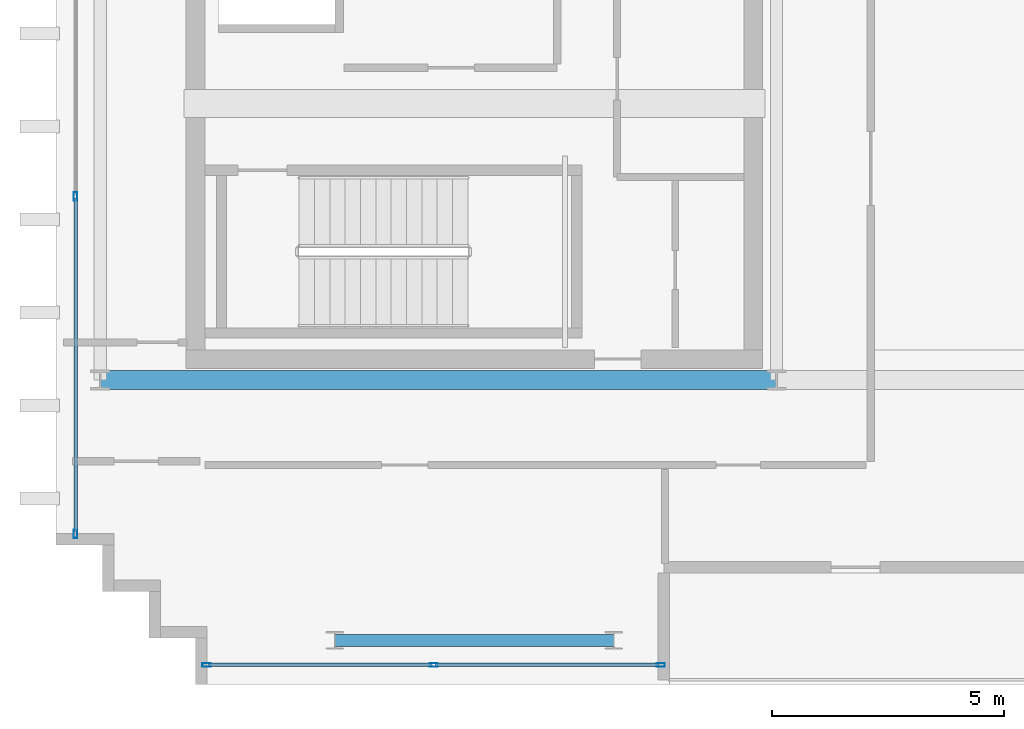
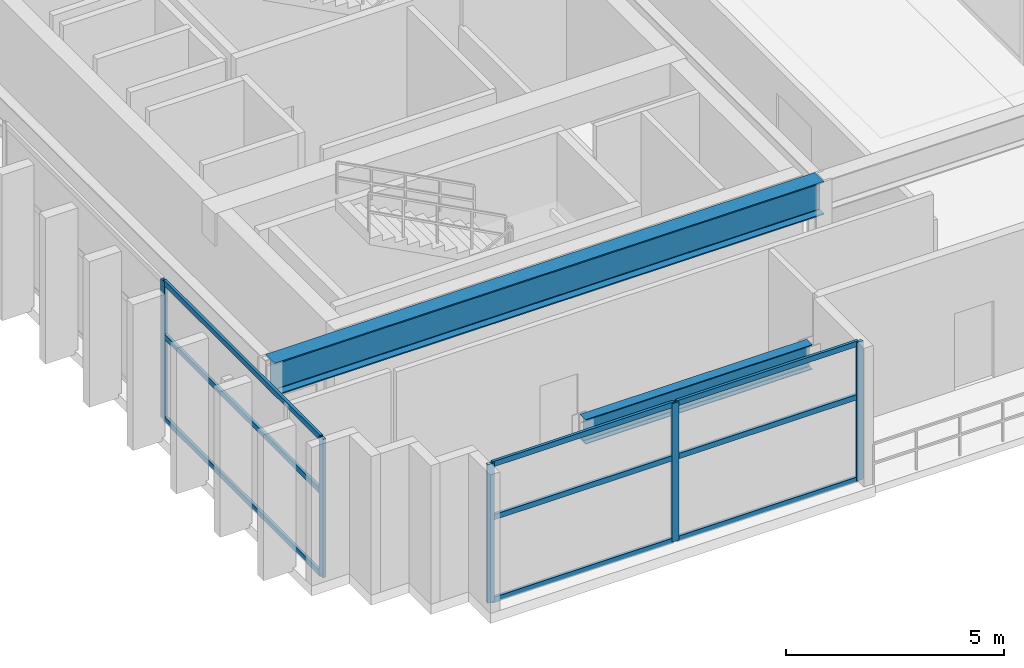
# One storey, part 2 of 15: 14 members, 2 beams, 2 elements without a shape of their own.
"""IFC4 building model written with IfcOpenShell, lengths in metres."""

from ifc_helpers import new_model, si_unit, direction, frame, origin, origin_2d, place, context, subcontext, project, spatial, hollow_rectangle, i_section, extrude, source, transform, mapped, material, layer, layer_set, material_profile, profile_set, type_object, element, aggregate, save


model = new_model("IFC4")

# Units and contexts
model_context = context("Model", 3, precision=1e-05, world=origin(), true_north=direction((0.0, 1.0)))
body_context = subcontext(model_context, "Body", "Model", "MODEL_VIEW")
ifc_project = project(units=[si_unit("LENGTHUNIT", "METRE"), si_unit("AREAUNIT", "SQUARE_METRE"), si_unit("VOLUMEUNIT", "CUBIC_METRE"), si_unit("PLANEANGLEUNIT", "RADIAN"), si_unit("MASSUNIT", "GRAM", prefix="KILO")], contexts=[model_context])

# Site, building, storey
site_placement = place(None, origin())
site = spatial("IfcSite", under=ifc_project, at=site_placement, CompositionType="ELEMENT")
building_placement = place(site_placement, origin())
building = spatial("IfcBuilding", under=site, at=building_placement, Name="Ocotamira Hotel", CompositionType="ELEMENT")
storey_placement = place(building_placement, frame((0.0, 0.0, 305.39990234375)))
storey = spatial("IfcBuildingStorey", under=building, at=storey_placement, Name="L78", CompositionType="ELEMENT", Elevation=305.39990234375)

# Beams
ifc_material_1 = material(Name="Steel ASTM A992 Grade 50", Category="steel")
ifc_material_profile_1 = material_profile(ifc_material_1, i_section(OverallWidth=0.41796875, OverallDepth=0.927001953125, WebThickness=0.019287109375, FlangeThickness=0.031982421875, FilletRadius=0.02392578125, at=origin_2d()), Name="W36X231")
ifc_profile_set_1 = profile_set([ifc_material_profile_1], Name="Steel ASTM A992 Grade 50")
beam_type_1 = type_object("IfcBeamType", Name="BM-GIRD-W36X231", PredefinedType="BEAM", material=ifc_profile_set_1)
shared_shape_1 = source(origin(), body_context, "Body", "SweptSolid", [
    extrude(i_section(OverallWidth=0.41796875, OverallDepth=0.927001953125, WebThickness=0.019287109375, FlangeThickness=0.031982421875, FilletRadius=0.02392578125, at=origin_2d()), origin(), (0.0, 0.0, 1.0), 14.550048828125),
])
beam_1_placement = place(storey_placement, frame((8.949951171875, 14.550048828125, 3.41650390625), z_axis=(1.0, 0.0, 0.0), x_axis=(0.0, 1.0, 0.0)))
element("IfcBeam", 1, at=beam_1_placement, inside=storey, type_object=beam_type_1, Name="L78 Girder Y14.55 X8.95-23.5", PredefinedType="BEAM", context=body_context, shape_type="MappedRepresentation", body=[
    mapped(shared_shape_1, transform((0.0, 0.0, 0.0), scale=1.0)),
])
ifc_material_profile_2 = material_profile(ifc_material_1, i_section(OverallWidth=0.256103515625, OverallDepth=0.693115234375, WebThickness=0.014404296875, FlangeThickness=0.023681640625, FilletRadius=0.01611328125, at=origin_2d()), Name="W27X114")
ifc_profile_set_2 = profile_set([ifc_material_profile_2], Name="Steel ASTM A992 Grade 50")
beam_type_2 = type_object("IfcBeamType", Name="BM-PRIM-W27X114", PredefinedType="BEAM", material=ifc_profile_set_2)
shared_shape_2 = source(origin(), body_context, "Body", "SweptSolid", [
    extrude(i_section(OverallWidth=0.256103515625, OverallDepth=0.693115234375, WebThickness=0.014404296875, FlangeThickness=0.023681640625, FilletRadius=0.01611328125, at=origin_2d()), origin(), (0.0, 0.0, 1.0), 6.0),
])
beam_2_placement = place(storey_placement, frame((14.0, 8.949951171875, 3.53369140625), z_axis=(1.0, 0.0, 0.0), x_axis=(0.0, 1.0, 0.0)))
element("IfcBeam", 2, at=beam_2_placement, inside=storey, type_object=beam_type_2, Name="L78 Girder Y8.95 X14-20", PredefinedType="BEAM", context=body_context, shape_type="MappedRepresentation", body=[
    mapped(shared_shape_2, transform((0.0, 0.0, 0.0), scale=1.0)),
])

# Curtain wall, members
ifc_material_2 = material(Name="Anodised pale-metal aluminium and solar glass", Category="aluminium")
ifc_layer = layer(ifc_material_2, 0.2099609375)
ifc_layer_set = layer_set([ifc_layer], Name="Anodised pale-metal aluminium and solar glass")
curtain_wall_type = type_object("IfcCurtainWallType", Name="CW-SYS7-PEAK", PredefinedType="NOTDEFINED", material=ifc_layer_set)
curtain_wall_1_placement = place(storey_placement, origin())
curtain_wall_1 = element("IfcCurtainWall", 3, at=curtain_wall_1_placement, inside=storey, type_object=curtain_wall_type, Name="L78 Curtain Wall CW-7 CW-L78-W1", PredefinedType="NOTDEFINED")
ifc_material_3 = material(Name="Anodised pale-metal aluminium 6063-T6", Category="aluminium")
ifc_material_profile_3 = material_profile(ifc_material_3, hollow_rectangle(XDim=0.074951171875, YDim=0.14990234375, WallThickness=0.006103515625, at=origin_2d()), Name="HSS150X75X6")
ifc_profile_set_3 = profile_set([ifc_material_profile_3], Name="Anodised pale-metal aluminium 6063-T6")
member_type_1 = type_object("IfcMemberType", Name="CWT-150X75", PredefinedType="USERDEFINED", material=ifc_profile_set_3)
shared_shape_3 = source(origin(), body_context, "Body", "SweptSolid", [
    extrude(hollow_rectangle(XDim=0.074951171875, YDim=0.14990234375, WallThickness=0.006103515625, at=origin_2d()), origin(), (0.0, 0.0, 1.0), 7.179931640625),
])
member_1_placement = place(storey_placement, frame((8.419921875, 11.280029296875, 0.03759765625), z_axis=(0.0, 1.0, 0.0), x_axis=(-1.0, 0.0, 0.0)))
member_1 = element("IfcMember", 4, at=member_1_placement, type_object=member_type_1, Name="CW-7 transom 1.1", ObjectType="TRANSOM", PredefinedType="USERDEFINED", context=body_context, shape_type="MappedRepresentation", body=[
    mapped(shared_shape_3, transform((0.0, 0.0, 0.0), scale=1.0)),
])
member_2_placement = place(storey_placement, frame((8.419921875, 11.280029296875, 2.35009765625), z_axis=(0.0, 1.0, 0.0), x_axis=(-1.0, 0.0, 0.0)))
member_2 = element("IfcMember", 5, at=member_2_placement, type_object=member_type_1, Name="CW-7 transom 1.2", ObjectType="TRANSOM", PredefinedType="USERDEFINED", context=body_context, shape_type="MappedRepresentation", body=[
    mapped(shared_shape_3, transform((0.0, 0.0, 0.0), scale=1.0)),
])
member_3_placement = place(storey_placement, frame((8.419921875, 11.280029296875, 3.842529296875), z_axis=(0.0, 1.0, 0.0), x_axis=(-1.0, 0.0, 0.0)))
member_3 = element("IfcMember", 6, at=member_3_placement, type_object=member_type_1, Name="CW-7 transom 1.3", ObjectType="TRANSOM", PredefinedType="USERDEFINED", context=body_context, shape_type="MappedRepresentation", body=[
    mapped(shared_shape_3, transform((0.0, 0.0, 0.0), scale=1.0)),
])

curtain_wall_2_placement = place(storey_placement, origin())
curtain_wall_2 = element("IfcCurtainWall", 7, at=curtain_wall_2_placement, inside=storey, type_object=curtain_wall_type, Name="L78 Curtain Wall CW-7 CW-L78-S1", PredefinedType="NOTDEFINED")
shared_shape_4 = source(origin(), body_context, "Body", "SweptSolid", [
    extrude(hollow_rectangle(XDim=0.074951171875, YDim=0.14990234375, WallThickness=0.006103515625, at=origin_2d()), origin(), (0.0, 0.0, 1.0), 4.804931640625),
])
member_4_placement = place(storey_placement, frame((11.280029296875, 8.419921875, 0.03759765625), z_axis=(1.0, 0.0, 0.0), x_axis=(0.0, 1.0, 0.0)))
member_4 = element("IfcMember", 8, at=member_4_placement, type_object=member_type_1, Name="CW-7 transom 1.1", ObjectType="TRANSOM", PredefinedType="USERDEFINED", context=body_context, shape_type="MappedRepresentation", body=[
    mapped(shared_shape_4, transform((0.0, 0.0, 0.0), scale=1.0)),
])
member_5_placement = place(storey_placement, frame((11.280029296875, 8.419921875, 2.35009765625), z_axis=(1.0, 0.0, 0.0), x_axis=(0.0, 1.0, 0.0)))
member_5 = element("IfcMember", 9, at=member_5_placement, type_object=member_type_1, Name="CW-7 transom 1.2", ObjectType="TRANSOM", PredefinedType="USERDEFINED", context=body_context, shape_type="MappedRepresentation", body=[
    mapped(shared_shape_4, transform((0.0, 0.0, 0.0), scale=1.0)),
])
member_6_placement = place(storey_placement, frame((11.280029296875, 8.419921875, 3.842529296875), z_axis=(1.0, 0.0, 0.0), x_axis=(0.0, 1.0, 0.0)))
member_6 = element("IfcMember", 10, at=member_6_placement, type_object=member_type_1, Name="CW-7 transom 1.3", ObjectType="TRANSOM", PredefinedType="USERDEFINED", context=body_context, shape_type="MappedRepresentation", body=[
    mapped(shared_shape_4, transform((0.0, 0.0, 0.0), scale=1.0)),
])
member_7_placement = place(storey_placement, frame((16.1650390625, 8.419921875, 0.03759765625), z_axis=(1.0, 0.0, 0.0), x_axis=(0.0, 1.0, 0.0)))
member_7 = element("IfcMember", 11, at=member_7_placement, type_object=member_type_1, Name="CW-7 transom 2.1", ObjectType="TRANSOM", PredefinedType="USERDEFINED", context=body_context, shape_type="MappedRepresentation", body=[
    mapped(shared_shape_4, transform((0.0, 0.0, 0.0), scale=1.0)),
])
member_8_placement = place(storey_placement, frame((16.1650390625, 8.419921875, 2.35009765625), z_axis=(1.0, 0.0, 0.0), x_axis=(0.0, 1.0, 0.0)))
member_8 = element("IfcMember", 12, at=member_8_placement, type_object=member_type_1, Name="CW-7 transom 2.2", ObjectType="TRANSOM", PredefinedType="USERDEFINED", context=body_context, shape_type="MappedRepresentation", body=[
    mapped(shared_shape_4, transform((0.0, 0.0, 0.0), scale=1.0)),
])
member_9_placement = place(storey_placement, frame((16.1650390625, 8.419921875, 3.842529296875), z_axis=(1.0, 0.0, 0.0), x_axis=(0.0, 1.0, 0.0)))
member_9 = element("IfcMember", 13, at=member_9_placement, type_object=member_type_1, Name="CW-7 transom 2.3", ObjectType="TRANSOM", PredefinedType="USERDEFINED", context=body_context, shape_type="MappedRepresentation", body=[
    mapped(shared_shape_4, transform((0.0, 0.0, 0.0), scale=1.0)),
])
ifc_material_profile_4 = material_profile(ifc_material_3, hollow_rectangle(XDim=0.080078125, YDim=0.179931640625, WallThickness=0.006103515625, at=origin_2d()), Name="HSS180X80X6")
ifc_profile_set_4 = profile_set([ifc_material_profile_4], Name="Anodised pale-metal aluminium 6063-T6")
member_type_2 = type_object("IfcMemberType", Name="CWM-180X75", PredefinedType="MULLION", material=ifc_profile_set_4)
shared_shape_5 = source(origin(), body_context, "Body", "SweptSolid", [
    extrude(hollow_rectangle(XDim=0.080078125, YDim=0.179931640625, WallThickness=0.006103515625, at=origin_2d()), origin(), (0.0, 0.0, 1.0), 3.880126953125),
])
member_10_placement = place(storey_placement, frame((11.239990234375, 8.419921875, 0.0), z_axis=(0.0, 0.0, 1.0), x_axis=(0.0, 1.0, 0.0)))
member_10 = element("IfcMember", 14, at=member_10_placement, type_object=member_type_2, Name="CW-7 mullion 1", PredefinedType="MULLION", context=body_context, shape_type="MappedRepresentation", body=[
    mapped(shared_shape_5, transform((0.0, 0.0, 0.0), scale=1.0)),
])
member_11_placement = place(storey_placement, frame((16.125, 8.419921875, 0.0), z_axis=(0.0, 0.0, 1.0), x_axis=(0.0, 1.0, 0.0)))
member_11 = element("IfcMember", 15, at=member_11_placement, type_object=member_type_2, Name="CW-7 mullion 2", PredefinedType="MULLION", context=body_context, shape_type="MappedRepresentation", body=[
    mapped(shared_shape_5, transform((0.0, 0.0, 0.0), scale=1.0)),
])
member_12_placement = place(storey_placement, frame((21.010009765625, 8.419921875, 0.0), z_axis=(0.0, 0.0, 1.0), x_axis=(0.0, 1.0, 0.0)))
member_12 = element("IfcMember", 16, at=member_12_placement, type_object=member_type_2, Name="CW-7 mullion 3", PredefinedType="MULLION", context=body_context, shape_type="MappedRepresentation", body=[
    mapped(shared_shape_5, transform((0.0, 0.0, 0.0), scale=1.0)),
])
aggregate(curtain_wall_2, [member_10, member_11, member_12, member_4, member_5, member_6, member_7, member_8, member_9])

# Member
member_13_placement = place(storey_placement, frame((8.419921875, 11.239990234375, 0.0), z_axis=(0.0, 0.0, 1.0), x_axis=(-1.0, 0.0, 0.0)))
member_13 = element("IfcMember", 17, at=member_13_placement, type_object=member_type_2, Name="CW-7 mullion 1", PredefinedType="MULLION", context=body_context, shape_type="MappedRepresentation", body=[
    mapped(shared_shape_5, transform((0.0, 0.0, 0.0), scale=1.0)),
])

member_14_placement = place(storey_placement, frame((8.419921875, 18.5, 0.0), z_axis=(0.0, 0.0, 1.0), x_axis=(-1.0, 0.0, 0.0)))
member_14 = element("IfcMember", 18, at=member_14_placement, type_object=member_type_2, Name="CW-7 mullion 2", PredefinedType="MULLION", context=body_context, shape_type="MappedRepresentation", body=[
    mapped(shared_shape_5, transform((0.0, 0.0, 0.0), scale=1.0)),
])

aggregate(curtain_wall_1, [member_13, member_14, member_1, member_2, member_3])

save(model, "model.ifc")
